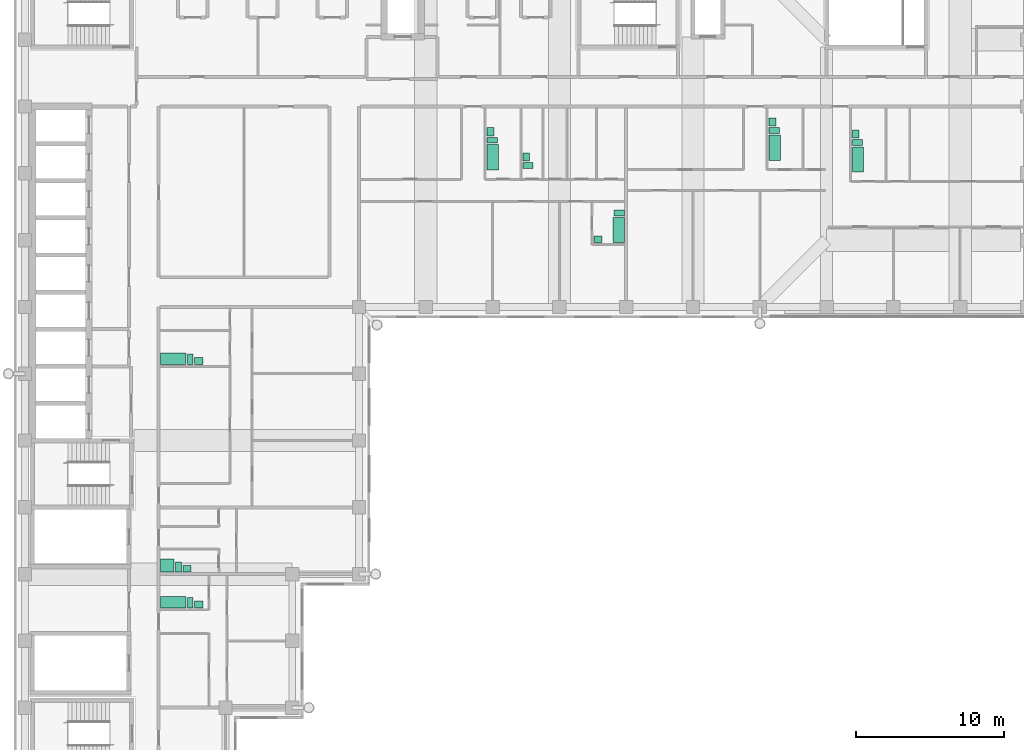
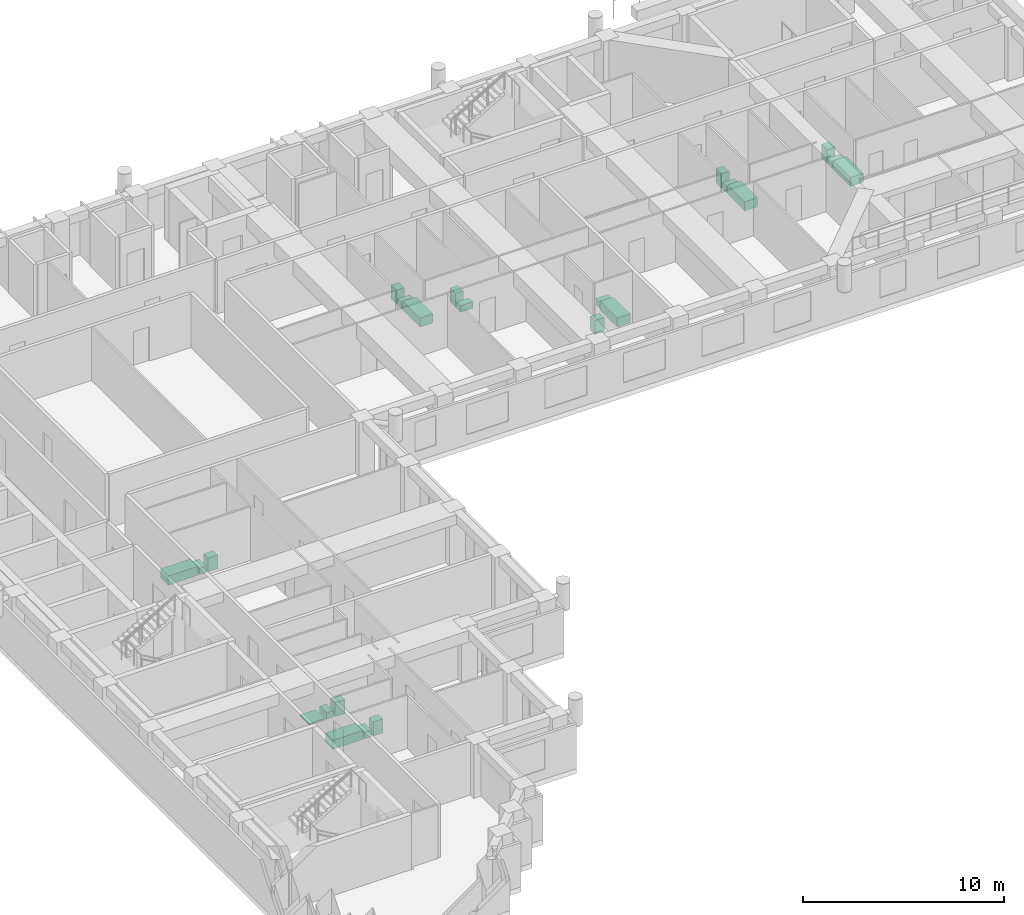
# One storey, part 14 of 14: 23 sanitary terminals.
"""IFC4 building model written with IfcOpenShell, lengths in metres."""

from ifc_helpers import new_model, si_unit, direction, frame, origin, origin_2d, place, context, subcontext, project, spatial, rectangle, extrude, material, type_object, element, save


model = new_model("IFC4")

# Units and contexts
model_context = context("Model", 3, precision=1e-05, world=origin(), true_north=direction((0.0, 1.0)))
body_context = subcontext(model_context, "Body", "Model", "MODEL_VIEW")
ifc_project = project(units=[si_unit("LENGTHUNIT", "METRE"), si_unit("AREAUNIT", "SQUARE_METRE"), si_unit("VOLUMEUNIT", "CUBIC_METRE"), si_unit("PLANEANGLEUNIT", "RADIAN"), si_unit("MASSUNIT", "GRAM", prefix="KILO")], contexts=[model_context])

# Site, building, storey
site_placement = place(None, origin())
site = spatial("IfcSite", under=ifc_project, at=site_placement, CompositionType="ELEMENT")
building_placement = place(site_placement, origin())
building = spatial("IfcBuilding", under=site, at=building_placement, Name="Firuza Court", CompositionType="ELEMENT")
storey_placement = place(building_placement, frame((0.0, 0.0, 182.60009765625)))
storey = spatial("IfcBuildingStorey", under=building, at=storey_placement, Name="L46", CompositionType="ELEMENT", Elevation=182.60009765625)

# Sanitary terminals
ifc_material_1 = material(Name="Vitreous china", Category="ceramic")
sanitary_terminal_type_1 = type_object("IfcSanitaryTerminalType", Name="Fixture Bath", PredefinedType="BATH", material=ifc_material_1)
for number, where, z_axis, x_axis, name in (
    (1, (31.5048828125, 46.080078125, 0.0), (0.0, 0.0, 1.0), (1.0, 0.0, 0.0), "Bath"),
    (2, (39.9951171875, 41.179931640625, 0.0), (0.0, 0.0, 1.0), (1.0, 0.0, 0.0), "Bath"),
    (3, (50.5048828125, 46.72998046875, 0.0), (0.0, 0.0, 1.0), (1.0, 0.0, 0.0), "Bath"),
    (4, (56.10498046875, 45.929931640625, 0.0), (0.0, 0.0, 1.0), (1.0, 0.0, 0.0), "Bath"),
):
    element("IfcSanitaryTerminal", number, at=place(storey_placement, frame(where, z_axis=z_axis, x_axis=x_axis)), inside=storey, type_object=sanitary_terminal_type_1, Name=name, PredefinedType="BATH", context=body_context, shape_type="SweptSolid", body=[
        extrude(rectangle(XDim=0.75, YDim=1.699951171875, at=origin_2d()), origin(), (0.0, 0.0, 1.0), 0.550048828125),
    ])
for number, where, z_axis, x_axis, name in (
    (5, (9.97998046875, 32.5048828125, 0.0), (0.0, 0.0, 1.0), (1.0, 0.0, 0.0), "Bath"),
    (6, (9.97998046875, 16.10498046875, 0.0), (0.0, 0.0, 1.0), (1.0, 0.0, 0.0), "Bath"),
):
    element("IfcSanitaryTerminal", number, at=place(storey_placement, frame(where, z_axis=z_axis, x_axis=x_axis)), inside=storey, type_object=sanitary_terminal_type_1, Name=name, PredefinedType="BATH", context=body_context, shape_type="SweptSolid", body=[
        extrude(rectangle(XDim=1.699951171875, YDim=0.75, at=origin_2d()), origin(), (0.0, 0.0, 1.0), 0.550048828125),
    ])
ifc_material_2 = material(Name="Vitreous china", Category="ceramic")
sanitary_terminal_type_2 = type_object("IfcSanitaryTerminalType", Name="Fixture Shower tray", PredefinedType="SHOWER", material=ifc_material_2)
sanitary_terminal_1_placement = place(storey_placement, frame((9.580078125, 18.580078125, -0.000244140625), z_axis=(0.0, 0.0, 1.0), x_axis=(1.0, 0.0, 0.0)))
element("IfcSanitaryTerminal", 7, at=sanitary_terminal_1_placement, inside=storey, type_object=sanitary_terminal_type_2, Name="Shower tray", PredefinedType="SHOWER", context=body_context, shape_type="SweptSolid", body=[
    extrude(rectangle(XDim=0.89990234375, YDim=0.89990234375, at=origin_2d()), origin(), (0.0, 0.0, 1.0), 0.10009765625),
])
ifc_material_3 = material(Name="Vitreous china", Category="ceramic")
sanitary_terminal_type_3 = type_object("IfcSanitaryTerminalType", Name="Fixture WC pan", PredefinedType="TOILETPAN", material=ifc_material_3)
for number, where, z_axis, x_axis, name in (
    (8, (31.47998046875, 47.22998046875, 0.0), (0.0, 0.0, 1.0), (1.0, 0.0, 0.0), "WC pan"),
    (9, (33.8798828125, 45.530029296875, 0.0), (0.0, 0.0, 1.0), (1.0, 0.0, 0.0), "WC pan"),
    (10, (40.02001953125, 42.330078125, 0.0), (0.0, 0.0, 1.0), (1.0, 0.0, 0.0), "WC pan"),
    (11, (50.47998046875, 47.8798828125, 0.0), (0.0, 0.0, 1.0), (1.0, 0.0, 0.0), "WC pan"),
    (12, (56.080078125, 47.080078125, 0.0), (0.0, 0.0, 1.0), (1.0, 0.0, 0.0), "WC pan"),
):
    element("IfcSanitaryTerminal", number, at=place(storey_placement, frame(where, z_axis=z_axis, x_axis=x_axis)), inside=storey, type_object=sanitary_terminal_type_3, Name=name, PredefinedType="TOILETPAN", context=body_context, shape_type="SweptSolid", body=[
        extrude(rectangle(XDim=0.699951171875, YDim=0.39990234375, at=origin_2d()), origin(), (0.0, 0.0, 1.0), 0.39990234375),
    ])
for number, where, z_axis, x_axis, name in (
    (13, (11.1298828125, 32.47998046875, 0.0), (0.0, 0.0, 1.0), (1.0, 0.0, 0.0), "WC pan"),
    (14, (10.330078125, 18.47998046875, 0.0), (0.0, 0.0, 1.0), (1.0, 0.0, 0.0), "WC pan"),
    (15, (11.1298828125, 16.080078125, 0.0), (0.0, 0.0, 1.0), (1.0, 0.0, 0.0), "WC pan"),
):
    element("IfcSanitaryTerminal", number, at=place(storey_placement, frame(where, z_axis=z_axis, x_axis=x_axis)), inside=storey, type_object=sanitary_terminal_type_3, Name=name, PredefinedType="TOILETPAN", context=body_context, shape_type="SweptSolid", body=[
        extrude(rectangle(XDim=0.39990234375, YDim=0.699951171875, at=origin_2d()), origin(), (0.0, 0.0, 1.0), 0.39990234375),
    ])
ifc_material_4 = material(Name="Vitreous china", Category="ceramic")
sanitary_terminal_type_4 = type_object("IfcSanitaryTerminalType", Name="Fixture Washbasin", PredefinedType="WASHHANDBASIN", material=ifc_material_4)
for number, where, z_axis, x_axis, name in (
    (16, (31.35498046875, 47.804931640625, -0.000244140625), (0.0, 0.0, 1.0), (1.0, 0.0, 0.0), "Washbasin"),
    (17, (33.7548828125, 46.10498046875, -0.000244140625), (0.0, 0.0, 1.0), (1.0, 0.0, 0.0), "Washbasin"),
):
    element("IfcSanitaryTerminal", number, at=place(storey_placement, frame(where, z_axis=z_axis, x_axis=x_axis)), inside=storey, type_object=sanitary_terminal_type_4, Name=name, PredefinedType="WASHHANDBASIN", context=body_context, shape_type="SweptSolid", body=[
        extrude(rectangle(XDim=0.449951171875, YDim=0.550048828125, at=origin_2d()), origin(), (0.0, 0.0, 1.0), 0.85009765625),
    ])
sanitary_terminal_2_placement = place(storey_placement, frame((38.60498046875, 40.554931640625, -0.000244140625), z_axis=(0.0, 0.0, 1.0), x_axis=(1.0, 0.0, 0.0)))
element("IfcSanitaryTerminal", 18, at=sanitary_terminal_2_placement, inside=storey, type_object=sanitary_terminal_type_4, Name="Washbasin", PredefinedType="WASHHANDBASIN", context=body_context, shape_type="SweptSolid", body=[
    extrude(rectangle(XDim=0.550048828125, YDim=0.449951171875, at=origin_2d()), origin(), (0.0, 0.0, 1.0), 0.85009765625),
])
for number, where, z_axis, x_axis, name in (
    (19, (50.35498046875, 48.455078125, -0.000244140625), (0.0, 0.0, 1.0), (1.0, 0.0, 0.0), "Washbasin"),
    (20, (55.955078125, 47.655029296875, -0.000244140625), (0.0, 0.0, 1.0), (1.0, 0.0, 0.0), "Washbasin"),
):
    element("IfcSanitaryTerminal", number, at=place(storey_placement, frame(where, z_axis=z_axis, x_axis=x_axis)), inside=storey, type_object=sanitary_terminal_type_4, Name=name, PredefinedType="WASHHANDBASIN", context=body_context, shape_type="SweptSolid", body=[
        extrude(rectangle(XDim=0.449951171875, YDim=0.550048828125, at=origin_2d()), origin(), (0.0, 0.0, 1.0), 0.85009765625),
    ])
for number, where, z_axis, x_axis, name in (
    (21, (11.705078125, 32.35498046875, -0.000244140625), (0.0, 0.0, 1.0), (1.0, 0.0, 0.0), "Washbasin"),
    (22, (10.905029296875, 18.35498046875, -0.000244140625), (0.0, 0.0, 1.0), (1.0, 0.0, 0.0), "Washbasin"),
    (23, (11.705078125, 15.955078125, -0.000244140625), (0.0, 0.0, 1.0), (1.0, 0.0, 0.0), "Washbasin"),
):
    element("IfcSanitaryTerminal", number, at=place(storey_placement, frame(where, z_axis=z_axis, x_axis=x_axis)), inside=storey, type_object=sanitary_terminal_type_4, Name=name, PredefinedType="WASHHANDBASIN", context=body_context, shape_type="SweptSolid", body=[
        extrude(rectangle(XDim=0.550048828125, YDim=0.449951171875, at=origin_2d()), origin(), (0.0, 0.0, 1.0), 0.85009765625),
    ])

save(model, "model.ifc")
